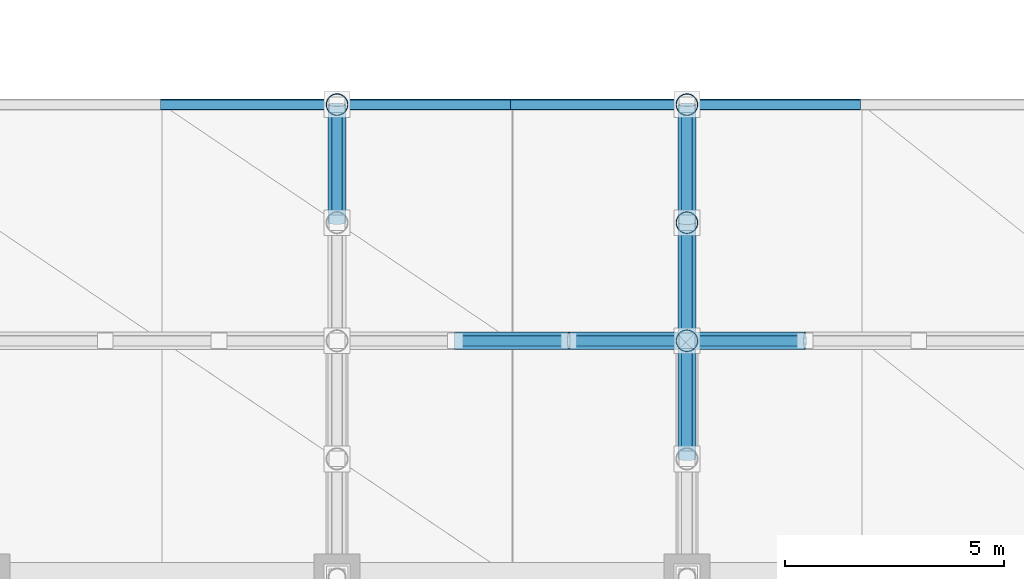
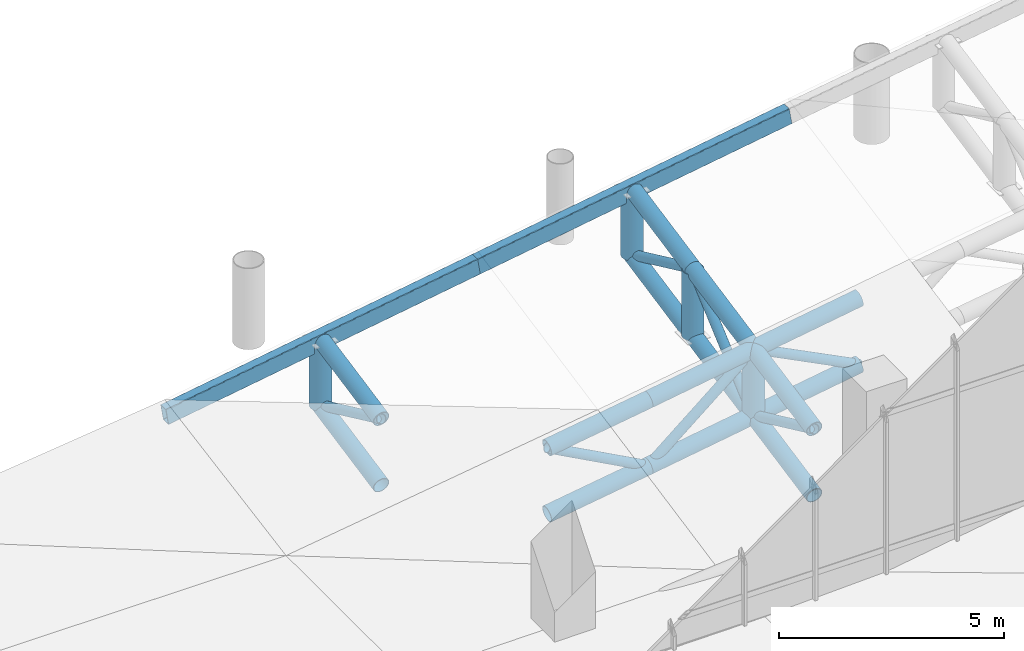
# One storey, part 57 of 137: 25 members, 2 beams.
"""IFC4 building model written with IfcOpenShell, lengths in metres."""

import ifcopenshell
import ifcopenshell.guid

model = None  # the IFC model being written
_history = None  # IfcOwnerHistory: only IFC2X3 demands one
_inside = {}  # id of a spatial element -> (the spatial element, [elements in it])
_under = {}  # id of a project, library or spatial element -> (it, [spatial elements below it])
_declared = {}  # id of a project -> (the project, [libraries it declares])
_typed = {}  # id of a type object -> (the type object, [elements of that type])
_made_of = {}  # id of a material, layer set ... -> (it, [elements and type objects made of it])


def new_model(schema):
    """Start an empty IFC model of exactly this schema.

    Asked for "IFC4X3", IfcOpenShell would pick the latest addendum, in which some entities
    have other attributes; the version numbers below select the first issue.
    IFC2X3 requires an IfcOwnerHistory on every rooted entity: one is made here for all.
    """
    global model, _history
    if schema == "IFC4X3":
        model = ifcopenshell.file(schema_version=(4, 3, 0, 0))
    else:
        model = ifcopenshell.file(schema=schema)
    _inside.clear()
    _under.clear()
    _declared.clear()
    _typed.clear()
    _made_of.clear()
    _history = None
    if model.schema == "IFC2X3":
        org = make("IfcOrganization", Name="unknown")
        user = make(
            "IfcPersonAndOrganization",
            ThePerson=make("IfcPerson", FamilyName="unknown"),
            TheOrganization=org,
        )
        app = make(
            "IfcApplication",
            ApplicationDeveloper=org,
            Version="unknown",
            ApplicationFullName="unknown",
            ApplicationIdentifier="unknown",
        )
        _history = make(
            "IfcOwnerHistory",
            OwningUser=user,
            OwningApplication=app,
            ChangeAction="ADDED",
            CreationDate=0,
        )
    return model


def make(cls, **values):
    """One entity of the class cls with the attributes given. An attribute that is None is left unset."""
    return model.create_entity(
        cls, **{name: value for name, value in values.items() if value is not None}
    )


def rooted(cls, **values):
    """An entity with a GlobalId (a new one), such as an element, a storey or a relation."""
    return make(cls, GlobalId=ifcopenshell.guid.new(), OwnerHistory=_history, **values)


def si_unit(unit_type, name, prefix=None):
    """IfcSIUnit, for example si_unit("LENGTHUNIT", "METRE", prefix="MILLI")."""
    return make("IfcSIUnit", UnitType=unit_type, Prefix=prefix, Name=name)


def assignment(units):
    """IfcUnitAssignment: the units of a project."""
    return None if units is None else make("IfcUnitAssignment", Units=units)


def point(xyz):
    """IfcCartesianPoint."""
    return None if xyz is None else make("IfcCartesianPoint", Coordinates=xyz)


def direction(xyz):
    """IfcDirection."""
    return None if xyz is None else make("IfcDirection", DirectionRatios=xyz)


def frame(location, z_axis=None, x_axis=None):
    """IfcAxis2Placement3D, a coordinate frame: its origin and axes. An axis left out is left unset."""
    return make(
        "IfcAxis2Placement3D",
        Location=point(location),
        Axis=direction(z_axis),
        RefDirection=direction(x_axis),
    )


def frame_2d(location, x_axis=None):
    """IfcAxis2Placement2D, a coordinate frame in the plane: its origin and x axis."""
    return make(
        "IfcAxis2Placement2D", Location=point(location), RefDirection=direction(x_axis)
    )


def origin():
    """The frame at (0, 0, 0) with its axes left unset."""
    return frame((0.0, 0.0, 0.0))


def origin_2d():
    """The frame at (0, 0) in the plane with its x axis left unset."""
    return frame_2d((0.0, 0.0))


def place(relative_to, where):
    """IfcLocalPlacement: puts the frame where relative to a parent placement (None: the world)."""
    return make(
        "IfcLocalPlacement", PlacementRelTo=relative_to, RelativePlacement=where
    )


def context(
    kind, dimensions, precision=None, world=None, true_north=None, identifier=None
):
    """IfcGeometricRepresentationContext, for example the 3D "Model" context."""
    return make(
        "IfcGeometricRepresentationContext",
        ContextIdentifier=identifier,
        ContextType=kind,
        CoordinateSpaceDimension=dimensions,
        Precision=precision,
        WorldCoordinateSystem=world,
        TrueNorth=true_north,
    )


def subcontext(parent, identifier, kind, view, scale=None):
    """IfcGeometricRepresentationSubContext, for example "Body" below "Model"."""
    return make(
        "IfcGeometricRepresentationSubContext",
        ContextIdentifier=identifier,
        ContextType=kind,
        ParentContext=parent,
        TargetScale=scale,
        TargetView=view,
    )


def project(units=None, contexts=None):
    """IfcProject with its units and contexts."""
    return rooted(
        "IfcProject",
        Name="project",
        RepresentationContexts=contexts,
        UnitsInContext=assignment(units),
    )


def spatial(cls, under=None, at=None, **own):
    """A site, building, storey or space (cls), placed at a placement, below another one or the project."""
    s = rooted(cls, ObjectPlacement=at, **own)
    if under is not None:
        _under.setdefault(under.id(), (under, []))[1].append(s)
    return s


def profile(cls, at=None, kind="AREA", **sizes):
    """A parametric profile (cls). Its sizes go by their IFC names, for example OverallWidth=200.0."""
    return make(cls, ProfileType=kind, Position=at, **sizes)


def hollow_rectangle(**sizes):
    """IfcRectangleHollowProfileDef."""
    return profile("IfcRectangleHollowProfileDef", **sizes)


def hollow_circle(**sizes):
    """IfcCircleHollowProfileDef."""
    return profile("IfcCircleHollowProfileDef", **sizes)


def extrude(swept, where, along, depth):
    """IfcExtrudedAreaSolid: the profile swept, set in the frame where, extruded along a direction by depth."""
    return make(
        "IfcExtrudedAreaSolid",
        SweptArea=swept,
        Position=where,
        ExtrudedDirection=direction(along),
        Depth=depth,
    )


def shape(context_of_items, identifier, shape_type, items):
    """IfcShapeRepresentation: the items that make up one representation, for example the "Body"."""
    return make(
        "IfcShapeRepresentation",
        ContextOfItems=context_of_items,
        RepresentationIdentifier=identifier,
        RepresentationType=shape_type,
        Items=items,
    )


def material(Name=None, Category=None):
    """IfcMaterial."""
    return make("IfcMaterial", Name=Name, Category=Category)


def material_profile(
    of_material, cross_section, Name=None, Category=None, Priority=None
):
    """IfcMaterialProfile: a cross section and its material."""
    return make(
        "IfcMaterialProfile",
        Name=Name,
        Material=of_material,
        Profile=cross_section,
        Priority=Priority,
        Category=Category,
    )


def profile_set(profiles, Name=None, composite=None):
    """IfcMaterialProfileSet."""
    return make(
        "IfcMaterialProfileSet",
        Name=Name,
        MaterialProfiles=profiles,
        CompositeProfile=composite,
    )


def made_of(thing, what):
    """Note that an element or type object is made of a material, layer set ...; save() writes the relation."""
    if what is not None:
        _made_of.setdefault(what.id(), (what, []))[1].append(thing)
    return thing


def type_object(cls, material=None, **own):
    """A type object (cls), such as IfcWallType, which elements share."""
    return made_of(rooted(cls, **own), material)


def element(
    cls,
    number,
    at=None,
    inside=None,
    cuts=None,
    type_object=None,
    material=None,
    context=None,
    identifier="Body",
    shape_type=None,
    held_by="IfcProductDefinitionShape",
    body=None,
    shapes=None,
    **own,
):
    """One element of the class cls, such as IfcWall. Its Tag is "e" and its number.

    at: its placement. inside: the storey or other place that contains it. cuts: it is an
    opening in that element (IfcRelVoidsElement). A single representation is given by context,
    identifier, shape_type and body (its items); several are given by shapes. held_by: the class
    of the entity that holds the representations. save() writes the other relations.
    """
    e = rooted(cls, Tag="e%d" % number, ObjectPlacement=at, **own)
    if body is not None:
        shapes = [shape(context, identifier, shape_type, body)]
    if shapes is not None:
        e.Representation = make(held_by, Representations=shapes)
    if inside is not None:
        _inside.setdefault(inside.id(), (inside, []))[1].append(e)
    if cuts is not None:
        rooted(
            "IfcRelVoidsElement", RelatingBuildingElement=cuts, RelatedOpeningElement=e
        )
    if type_object is not None:
        _typed.setdefault(type_object.id(), (type_object, []))[1].append(e)
    return made_of(e, material)


def aggregate(whole, parts):
    """IfcRelAggregates: a whole, such as a stair, and the parts it consists of."""
    return rooted("IfcRelAggregates", RelatingObject=whole, RelatedObjects=parts)


def save(model, path):
    """Write the relations noted so far, then the file.

    IfcRelAggregates (storeys below a building ...), IfcRelContainedInSpatialStructure (elements
    in a storey), IfcRelDefinesByType, IfcRelAssociatesMaterial and IfcRelDeclares: one each for
    every whole, place, type object, material and project.
    """
    for whole, parts in _under.values():
        aggregate(whole, parts)
    for where, things in _inside.values():
        rooted(
            "IfcRelContainedInSpatialStructure",
            RelatedElements=things,
            RelatingStructure=where,
        )
    for kind, things in _typed.values():
        rooted("IfcRelDefinesByType", RelatedObjects=things, RelatingType=kind)
    for what, things in _made_of.values():
        rooted("IfcRelAssociatesMaterial", RelatedObjects=things, RelatingMaterial=what)
    for by, libraries in _declared.values():
        rooted("IfcRelDeclares", RelatingContext=by, RelatedDefinitions=libraries)
    model.write(path)


model = new_model("IFC4")

# Units and contexts
model_context = context("Model", 3, precision=1e-05, world=origin(), true_north=direction((0.0, 1.0)))
body_context = subcontext(model_context, "Body", "Model", "MODEL_VIEW")
ifc_project = project(units=[si_unit("LENGTHUNIT", "METRE"), si_unit("AREAUNIT", "SQUARE_METRE"), si_unit("VOLUMEUNIT", "CUBIC_METRE"), si_unit("PLANEANGLEUNIT", "RADIAN"), si_unit("MASSUNIT", "GRAM", prefix="KILO")], contexts=[model_context])

# Site, building, storey
site_placement = place(None, origin())
site = spatial("IfcSite", under=ifc_project, at=site_placement, CompositionType="ELEMENT")
building_placement = place(site_placement, origin())
building = spatial("IfcBuilding", under=site, at=building_placement, Name="Khorjan Park Terminus", CompositionType="ELEMENT")
storey_placement = place(building_placement, frame((0.0, 0.0, 11.4)))
storey = spatial("IfcBuildingStorey", under=building, at=storey_placement, Name="L02", CompositionType="ELEMENT", Elevation=11.4)

# Members
ifc_material = material(Name="Steel S355", Category="steel")
ifc_material_profile_1 = material_profile(ifc_material, hollow_circle(Radius=0.1222, WallThickness=0.0125, at=origin_2d()), Name="CHS 244.5x12.5")
ifc_profile_set_1 = profile_set([ifc_material_profile_1], Name="Steel S355")
member_type_1 = type_object("IfcMemberType", Name="MB-BRE-245", PredefinedType="BRACE", material=ifc_profile_set_1)
for number, where, z_axis, x_axis, name in (
    (1, (112.0, 96.1, 1.4531), (0.0, 0.906388863055, -0.422444350099), (-1.0, 0.0, 0.0), "Lower shell cantilever truss diagonal (9N)"),
    (2, (120.0, 90.7, 1.6523), (0.0, 0.906376008919, -0.422471928602), (-1.0, 0.0, 0.0), "Lower shell cantilever truss diagonal (10N)"),
):
    element("IfcMember", number, at=place(storey_placement, frame(where, z_axis=z_axis, x_axis=x_axis)), inside=storey, type_object=member_type_1, Name=name, PredefinedType="BRACE", context=body_context, shape_type="SweptSolid", body=[
        extrude(hollow_circle(Radius=0.1222, WallThickness=0.0125, at=origin_2d()), origin(), (0.0, 0.0, 1.0), 2.9789),
    ])
member_1_placement = place(storey_placement, frame((120.0, 93.4, 0.3938), z_axis=(0.0, 0.755481319374, 0.655170188635), x_axis=(-1.0, 0.0, 0.0)))
element("IfcMember", 3, at=member_1_placement, inside=storey, type_object=member_type_1, Name="Lower shell cantilever truss diagonal (10N)", PredefinedType="BRACE", context=body_context, shape_type="SweptSolid", body=[
    extrude(hollow_circle(Radius=0.1222, WallThickness=0.0125, at=origin_2d()), origin(), (0.0, 0.0, 1.0), 3.5739),
])
member_2_placement = place(storey_placement, frame((120.0, 96.1, 2.7353), z_axis=(0.0, 0.906376008919, -0.422471928602), x_axis=(-1.0, 0.0, 0.0)))
element("IfcMember", 4, at=member_2_placement, inside=storey, type_object=member_type_1, Name="Lower shell cantilever truss diagonal (10N)", PredefinedType="BRACE", context=body_context, shape_type="SweptSolid", body=[
    extrude(hollow_circle(Radius=0.1222, WallThickness=0.0125, at=origin_2d()), origin(), (0.0, 0.0, 1.0), 2.9789),
])
member_3_placement = place(storey_placement, frame((114.7, 93.4, 1.3641), z_axis=(0.880046872232, 0.0, -0.474886831439), x_axis=(0.0, 1.0, 0.0)))
element("IfcMember", 5, at=member_3_placement, inside=storey, type_object=member_type_1, Name="Lower shell mid-ring diagonal (N30)", PredefinedType="BRACE", context=body_context, shape_type="SweptSolid", body=[
    extrude(hollow_circle(Radius=0.1222, WallThickness=0.0125, at=origin_2d()), origin(), (0.0, 0.0, 1.0), 2.9544),
])
member_4_placement = place(storey_placement, frame((117.3, 93.4, -0.0389), z_axis=(0.770644194056, 0.0, 0.637265663729), x_axis=(0.0, 1.0, 0.0)))
element("IfcMember", 6, at=member_4_placement, inside=storey, type_object=member_type_1, Name="Lower shell mid-ring diagonal (N31)", PredefinedType="BRACE", context=body_context, shape_type="SweptSolid", body=[
    extrude(hollow_circle(Radius=0.1222, WallThickness=0.0125, at=origin_2d()), origin(), (0.0, 0.0, 1.0), 3.5036),
])
member_5_placement = place(storey_placement, frame((120.0, 93.4, 2.1938), z_axis=(0.892129007038, 0.0, -0.451780737527), x_axis=(0.0, 1.0, 0.0)))
element("IfcMember", 7, at=member_5_placement, inside=storey, type_object=member_type_1, Name="Lower shell mid-ring diagonal (N32)", PredefinedType="BRACE", context=body_context, shape_type="SweptSolid", body=[
    extrude(hollow_circle(Radius=0.1222, WallThickness=0.0125, at=origin_2d()), origin(), (0.0, 0.0, 1.0), 3.0265),
])
ifc_material_profile_2 = material_profile(ifc_material, hollow_circle(Radius=0.2032, WallThickness=0.016, at=origin_2d()), Name="CHS 406.4x16")
ifc_profile_set_2 = profile_set([ifc_material_profile_2], Name="Steel S355")
member_type_2 = type_object("IfcMemberType", Name="MB-CHE-406", PredefinedType="CHORD", material=ifc_profile_set_2)
for number, where, z_axis, x_axis, name in (
    (8, (112.0, 96.1, 1.4531), (0.0, 0.980468782209, 0.196674774979), (-1.0, 0.0, 0.0), "Lower shell cantilever truss top chord (9N)"),
    (9, (112.0, 96.1, -0.3469), (0.0, 0.980468782209, 0.196674774979), (-1.0, 0.0, 0.0), "Lower shell cantilever truss bottom chord (9N)"),
    (10, (120.0, 90.7, 1.6523), (0.0, 0.980475784127, 0.196639865594), (-1.0, 0.0, 0.0), "Lower shell cantilever truss top chord (10N)"),
    (11, (120.0, 90.7, -0.1477), (0.0, 0.980475784127, 0.196639865594), (-1.0, 0.0, 0.0), "Lower shell cantilever truss bottom chord (10N)"),
    (12, (120.0, 93.4, 2.1938), (0.0, 0.980475784127, 0.196639865594), (-1.0, 0.0, 0.0), "Lower shell cantilever truss top chord (10N)"),
    (13, (120.0, 93.4, 0.3938), (0.0, 0.980475784127, 0.196639865594), (-1.0, 0.0, 0.0), "Lower shell cantilever truss bottom chord (10N)"),
    (14, (120.0, 96.1, 2.7353), (0.0, 0.980475784127, 0.196639865594), (-1.0, 0.0, 0.0), "Lower shell cantilever truss top chord (10N)"),
    (15, (120.0, 96.1, 0.9353), (0.0, 0.980475784127, 0.196639865594), (-1.0, 0.0, 0.0), "Lower shell cantilever truss bottom chord (10N)"),
):
    element("IfcMember", number, at=place(storey_placement, frame(where, z_axis=z_axis, x_axis=x_axis)), inside=storey, type_object=member_type_2, Name=name, PredefinedType="CHORD", context=body_context, shape_type="SweptSolid", body=[
        extrude(hollow_circle(Radius=0.2032, WallThickness=0.016, at=origin_2d()), origin(), (0.0, 0.0, 1.0), 2.7538),
    ])
for number, where, z_axis, x_axis, name in (
    (16, (114.7, 93.4, 1.3641), (0.988542493121, 0.0, 0.150942834526), (0.0, 1.0, 0.0), "Lower shell mid-ring top chord (N30)"),
    (17, (114.7, 93.4, -0.4359), (0.988542493121, 0.0, 0.150942834526), (0.0, 1.0, 0.0), "Lower shell mid-ring bottom chord (N30)"),
):
    element("IfcMember", number, at=place(storey_placement, frame(where, z_axis=z_axis, x_axis=x_axis)), inside=storey, type_object=member_type_2, Name=name, PredefinedType="CHORD", context=body_context, shape_type="SweptSolid", body=[
        extrude(hollow_circle(Radius=0.2032, WallThickness=0.016, at=origin_2d()), origin(), (0.0, 0.0, 1.0), 2.6301),
    ])
for number, where, z_axis, x_axis, name in (
    (18, (117.3, 93.4, 1.7611), (0.987400663901, 0.0, 0.158240098989), (0.0, 1.0, 0.0), "Lower shell mid-ring top chord (N31)"),
    (19, (117.3, 93.4, -0.0389), (0.987400663901, 0.0, 0.158240098989), (0.0, 1.0, 0.0), "Lower shell mid-ring bottom chord (N31)"),
    (20, (120.0, 93.4, 2.1938), (0.987400663901, 0.0, 0.158240098989), (0.0, 1.0, 0.0), "Lower shell mid-ring top chord (N32)"),
    (21, (120.0, 93.4, 0.3938), (0.987400663901, 0.0, 0.158240098989), (0.0, 1.0, 0.0), "Lower shell mid-ring bottom chord (N32)"),
):
    element("IfcMember", number, at=place(storey_placement, frame(where, z_axis=z_axis, x_axis=x_axis)), inside=storey, type_object=member_type_2, Name=name, PredefinedType="CHORD", context=body_context, shape_type="SweptSolid", body=[
        extrude(hollow_circle(Radius=0.2032, WallThickness=0.016, at=origin_2d()), origin(), (0.0, 0.0, 1.0), 2.7345),
    ])
ifc_material_profile_3 = material_profile(ifc_material, hollow_circle(Radius=0.254, WallThickness=0.02, at=origin_2d()), Name="CHS 508x20")
ifc_profile_set_3 = profile_set([ifc_material_profile_3], Name="Steel S355")
member_type_3 = type_object("IfcMemberType", Name="MB-STE-508", PredefinedType="STRUT", material=ifc_profile_set_3)
for number, where, z_axis, x_axis, name in (
    (22, (112.0, 98.8, 0.1947), (0.0, 0.0, 1.0), (1.0, 0.0, 0.0), "Lower shell cantilever truss post (9N)"),
    (23, (120.0, 93.4, 0.3938), (0.0, 0.0, 1.0), (1.0, 0.0, 0.0), "Lower shell cantilever truss post (10N)"),
    (24, (120.0, 96.1, 0.9353), (0.0, 0.0, 1.0), (1.0, 0.0, 0.0), "Lower shell cantilever truss post (10N)"),
    (25, (120.0, 98.8, 1.4768), (0.0, 0.0, 1.0), (1.0, 0.0, 0.0), "Lower shell cantilever truss post (10N)"),
):
    element("IfcMember", number, at=place(storey_placement, frame(where, z_axis=z_axis, x_axis=x_axis)), inside=storey, type_object=member_type_3, Name=name, PredefinedType="STRUT", context=body_context, shape_type="SweptSolid", body=[
        extrude(hollow_circle(Radius=0.254, WallThickness=0.02, at=origin_2d()), origin(), (0.0, 0.0, 1.0), 1.8),
    ])

# Beams
ifc_material_profile_4 = material_profile(ifc_material, hollow_rectangle(XDim=0.25, YDim=0.45, WallThickness=0.016, InnerFilletRadius=0.016, OuterFilletRadius=0.032, at=origin_2d()), Name="RHS 450x250x16")
ifc_profile_set_4 = profile_set([ifc_material_profile_4], Name="Steel S355")
beam_type = type_object("IfcBeamType", Name="SP-RHS450", PredefinedType="SPANDREL", material=ifc_profile_set_4)
for number, where, z_axis, x_axis, name in (
    (26, (108.0, 98.8, 1.3316), (0.987400163922, 0.0, 0.158243218771), (0.0, 1.0, 0.0), "Lower wrapping shell upturned edge beam SP-R45 (27)"),
    (27, (116.0, 98.8, 2.6137), (0.987398235344, 0.0, 0.15825525217), (0.0, 1.0, 0.0), "Lower wrapping shell upturned edge beam SP-R45 (28)"),
):
    element("IfcBeam", number, at=place(storey_placement, frame(where, z_axis=z_axis, x_axis=x_axis)), inside=storey, type_object=beam_type, Name=name, PredefinedType="SPANDREL", context=body_context, shape_type="SweptSolid", body=[
        extrude(hollow_rectangle(XDim=0.25, YDim=0.45, WallThickness=0.016, InnerFilletRadius=0.016, OuterFilletRadius=0.032, at=origin_2d()), origin(), (0.0, 0.0, 1.0), 8.1021),
    ])

save(model, "model.ifc")
